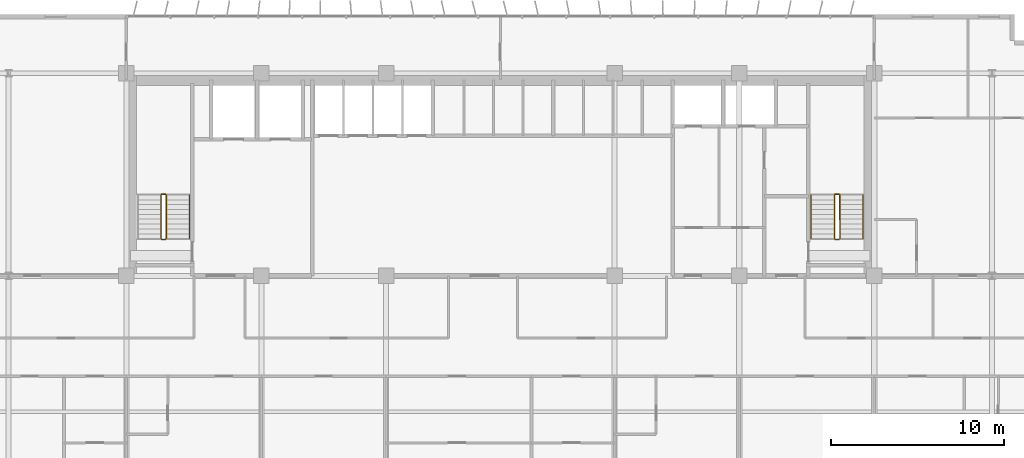
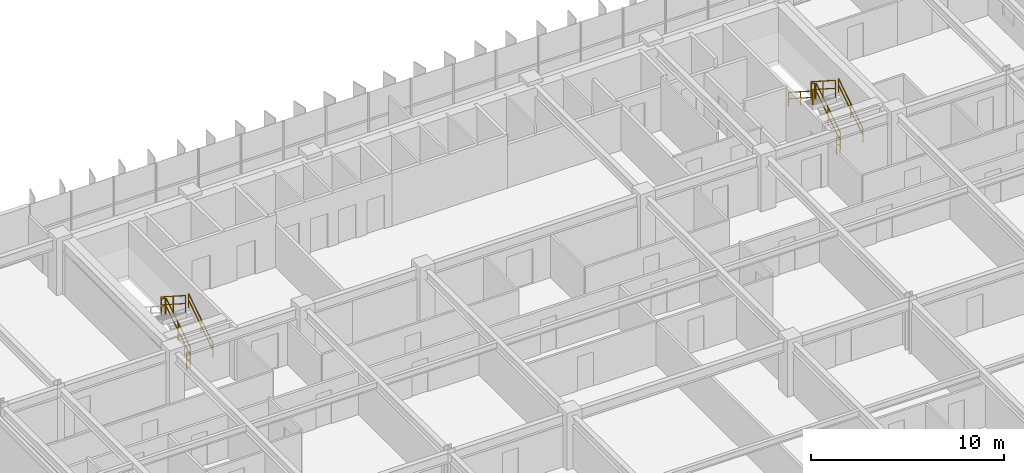
# One storey, part 21 of 22: 11 railings.
"""IFC4 building model written with IfcOpenShell, lengths in metres."""

from ifc_helpers import new_model, si_unit, direction, frame, origin, origin_2d, place, context, subcontext, project, spatial, rectangle, extrude, material, type_object, element, save


model = new_model("IFC4")

# Units and contexts
model_context = context("Model", 3, precision=1e-05, world=origin(), true_north=direction((0.0, 1.0)))
body_context = subcontext(model_context, "Body", "Model", "MODEL_VIEW")
ifc_project = project(units=[si_unit("LENGTHUNIT", "METRE"), si_unit("AREAUNIT", "SQUARE_METRE"), si_unit("VOLUMEUNIT", "CUBIC_METRE"), si_unit("PLANEANGLEUNIT", "RADIAN"), si_unit("MASSUNIT", "GRAM", prefix="KILO")], contexts=[model_context])

# Site, building, storey
site_placement = place(None, origin())
site = spatial("IfcSite", under=ifc_project, at=site_placement, CompositionType="ELEMENT")
building_placement = place(site_placement, origin())
building = spatial("IfcBuilding", under=site, at=building_placement, Name="Trelvane Seafront Commons", CompositionType="ELEMENT")
storey_placement = place(building_placement, frame((0.0, 0.0, 48.699951171875)))
storey = spatial("IfcBuildingStorey", under=building, at=storey_placement, Name="L12", CompositionType="ELEMENT", Elevation=48.699951171875)

# Railings
ifc_material = material(Name="Stainless steel balustrade", Category="steel")
railing_type_1 = type_object("IfcRailingType", Name="ARCH-SRL-GUARD", PredefinedType="GUARDRAIL", material=ifc_material)
railing_1_placement = place(storey_placement, frame((17.89990234375, 35.550048828125, 0.179931640625)))
element("IfcRailing", 1, at=railing_1_placement, inside=storey, type_object=railing_type_1, Name="L12 ST-1 stair guard 1", PredefinedType="GUARDRAIL", context=body_context, shape_type="SweptSolid", body=[
    extrude(rectangle(XDim=0.048095703125, YDim=0.048095703125, at=origin_2d()), frame((0.0, 0.0, 1.076171875), z_axis=(0.0, 0.841162588446, 0.540782303519), x_axis=(-1.0, 0.0, 0.0)), (0.0, 0.0, 1.0), 2.995849609375),
    extrude(rectangle(XDim=0.048095703125, YDim=0.048095703125, at=origin_2d()), frame((0.0, 0.0, 0.572021484375), z_axis=(0.0, 0.841162588446, 0.540782303519), x_axis=(-1.0, 0.0, 0.0)), (0.0, 0.0, 1.0), 2.995849609375),
    extrude(rectangle(XDim=0.0419921875, YDim=0.0419921875, at=origin_2d()), origin(), (0.0, 0.0, 1.0), 1.076171875),
    extrude(rectangle(XDim=0.0419921875, YDim=0.0419921875, at=origin_2d()), frame((0.0, 1.260009765625, 0.81005859375)), (0.0, 0.0, 1.0), 1.076171875),
    extrude(rectangle(XDim=0.0419921875, YDim=0.0419921875, at=origin_2d()), frame((0.0, 2.52001953125, 1.6201171875)), (0.0, 0.0, 1.0), 1.076171875),
])
railing_2_placement = place(storey_placement, frame((17.85009765625, 38.1201171875, 1.800048828125)))
element("IfcRailing", 2, at=railing_2_placement, inside=storey, type_object=railing_type_1, Name="L12 ST-1 stair guard 2", PredefinedType="GUARDRAIL", context=body_context, shape_type="SweptSolid", body=[
    extrude(rectangle(XDim=0.048095703125, YDim=0.048095703125, at=origin_2d()), frame((0.0, 0.0, 1.076171875), z_axis=(-1.0, 0.0, 0.0), x_axis=(0.0, -1.0, 0.0)), (0.0, 0.0, 1.0), 0.2001953125),
    extrude(rectangle(XDim=0.048095703125, YDim=0.048095703125, at=origin_2d()), frame((0.0, 0.0, 0.572021484375), z_axis=(-1.0, 0.0, 0.0), x_axis=(0.0, -1.0, 0.0)), (0.0, 0.0, 1.0), 0.2001953125),
    extrude(rectangle(XDim=0.0419921875, YDim=0.0419921875, at=origin_2d()), origin(), (0.0, 0.0, 1.0), 1.076171875),
    extrude(rectangle(XDim=0.0419921875, YDim=0.0419921875, at=origin_2d()), frame((-0.2001953125, 0.0, 0.0)), (0.0, 0.0, 1.0), 1.076171875),
])
railing_3_placement = place(storey_placement, frame((17.60009765625, 38.070068359375, 1.97998046875)))
element("IfcRailing", 3, at=railing_3_placement, inside=storey, type_object=railing_type_1, Name="L12 ST-1 stair guard 3", PredefinedType="GUARDRAIL", context=body_context, shape_type="SweptSolid", body=[
    extrude(rectangle(XDim=0.048095703125, YDim=0.048095703125, at=origin_2d()), frame((0.0, 0.0, 1.076171875), z_axis=(0.0, -0.841162588446, 0.540782303519), x_axis=(1.0, 0.0, 0.0)), (0.0, 0.0, 1.0), 2.995849609375),
    extrude(rectangle(XDim=0.048095703125, YDim=0.048095703125, at=origin_2d()), frame((0.0, 0.0, 0.572021484375), z_axis=(0.0, -0.841162588446, 0.540782303519), x_axis=(1.0, 0.0, 0.0)), (0.0, 0.0, 1.0), 2.995849609375),
    extrude(rectangle(XDim=0.0419921875, YDim=0.0419921875, at=origin_2d()), origin(), (0.0, 0.0, 1.0), 1.076171875),
    extrude(rectangle(XDim=0.0419921875, YDim=0.0419921875, at=origin_2d()), frame((0.0, -1.260009765625, 0.81005859375)), (0.0, 0.0, 1.0), 1.076171875),
    extrude(rectangle(XDim=0.0419921875, YDim=0.0419921875, at=origin_2d()), frame((0.0, -2.52001953125, 1.6201171875)), (0.0, 0.0, 1.0), 1.076171875),
])
railing_4_placement = place(storey_placement, frame((17.85009765625, 35.5, 0.0)))
element("IfcRailing", 4, at=railing_4_placement, inside=storey, type_object=railing_type_1, Name="L12 ST-1 stair guard 4", PredefinedType="GUARDRAIL", context=body_context, shape_type="SweptSolid", body=[
    extrude(rectangle(XDim=0.048095703125, YDim=0.048095703125, at=origin_2d()), frame((0.0, 0.0, 1.076171875), z_axis=(-1.0, 0.0, 0.0), x_axis=(0.0, -1.0, 0.0)), (0.0, 0.0, 1.0), 0.2001953125),
    extrude(rectangle(XDim=0.048095703125, YDim=0.048095703125, at=origin_2d()), frame((0.0, 0.0, 0.572021484375), z_axis=(-1.0, 0.0, 0.0), x_axis=(0.0, -1.0, 0.0)), (0.0, 0.0, 1.0), 0.2001953125),
    extrude(rectangle(XDim=0.0419921875, YDim=0.0419921875, at=origin_2d()), origin(), (0.0, 0.0, 1.0), 1.076171875),
    extrude(rectangle(XDim=0.0419921875, YDim=0.0419921875, at=origin_2d()), frame((-0.2001953125, 0.0, 0.0)), (0.0, 0.0, 1.0), 1.076171875),
])
railing_5_placement = place(storey_placement, frame((56.800048828125, 35.550048828125, 0.179931640625)))
element("IfcRailing", 5, at=railing_5_placement, inside=storey, type_object=railing_type_1, Name="L12 ST-2 stair guard 1", PredefinedType="GUARDRAIL", context=body_context, shape_type="SweptSolid", body=[
    extrude(rectangle(XDim=0.048095703125, YDim=0.048095703125, at=origin_2d()), frame((0.0, 0.0, 1.076171875), z_axis=(0.0, 0.841162588446, 0.540782303519), x_axis=(-1.0, 0.0, 0.0)), (0.0, 0.0, 1.0), 2.995849609375),
    extrude(rectangle(XDim=0.048095703125, YDim=0.048095703125, at=origin_2d()), frame((0.0, 0.0, 0.572021484375), z_axis=(0.0, 0.841162588446, 0.540782303519), x_axis=(-1.0, 0.0, 0.0)), (0.0, 0.0, 1.0), 2.995849609375),
    extrude(rectangle(XDim=0.0419921875, YDim=0.0419921875, at=origin_2d()), origin(), (0.0, 0.0, 1.0), 1.076171875),
    extrude(rectangle(XDim=0.0419921875, YDim=0.0419921875, at=origin_2d()), frame((0.0, 1.260009765625, 0.81005859375)), (0.0, 0.0, 1.0), 1.076171875),
    extrude(rectangle(XDim=0.0419921875, YDim=0.0419921875, at=origin_2d()), frame((0.0, 2.52001953125, 1.6201171875)), (0.0, 0.0, 1.0), 1.076171875),
])
railing_6_placement = place(storey_placement, frame((56.75, 38.1201171875, 1.800048828125)))
element("IfcRailing", 6, at=railing_6_placement, inside=storey, type_object=railing_type_1, Name="L12 ST-2 stair guard 2", PredefinedType="GUARDRAIL", context=body_context, shape_type="SweptSolid", body=[
    extrude(rectangle(XDim=0.048095703125, YDim=0.048095703125, at=origin_2d()), frame((0.0, 0.0, 1.076171875), z_axis=(-1.0, 0.0, 0.0), x_axis=(0.0, -1.0, 0.0)), (0.0, 0.0, 1.0), 0.199951171875),
    extrude(rectangle(XDim=0.048095703125, YDim=0.048095703125, at=origin_2d()), frame((0.0, 0.0, 0.572021484375), z_axis=(-1.0, 0.0, 0.0), x_axis=(0.0, -1.0, 0.0)), (0.0, 0.0, 1.0), 0.199951171875),
    extrude(rectangle(XDim=0.0419921875, YDim=0.0419921875, at=origin_2d()), origin(), (0.0, 0.0, 1.0), 1.076171875),
    extrude(rectangle(XDim=0.0419921875, YDim=0.0419921875, at=origin_2d()), frame((-0.199951171875, 0.0, 0.0)), (0.0, 0.0, 1.0), 1.076171875),
])
railing_7_placement = place(storey_placement, frame((56.5, 38.070068359375, 1.97998046875)))
element("IfcRailing", 7, at=railing_7_placement, inside=storey, type_object=railing_type_1, Name="L12 ST-2 stair guard 3", PredefinedType="GUARDRAIL", context=body_context, shape_type="SweptSolid", body=[
    extrude(rectangle(XDim=0.048095703125, YDim=0.048095703125, at=origin_2d()), frame((0.0, 0.0, 1.076171875), z_axis=(0.0, -0.841162588446, 0.540782303519), x_axis=(1.0, 0.0, 0.0)), (0.0, 0.0, 1.0), 2.995849609375),
    extrude(rectangle(XDim=0.048095703125, YDim=0.048095703125, at=origin_2d()), frame((0.0, 0.0, 0.572021484375), z_axis=(0.0, -0.841162588446, 0.540782303519), x_axis=(1.0, 0.0, 0.0)), (0.0, 0.0, 1.0), 2.995849609375),
    extrude(rectangle(XDim=0.0419921875, YDim=0.0419921875, at=origin_2d()), origin(), (0.0, 0.0, 1.0), 1.076171875),
    extrude(rectangle(XDim=0.0419921875, YDim=0.0419921875, at=origin_2d()), frame((0.0, -1.260009765625, 0.81005859375)), (0.0, 0.0, 1.0), 1.076171875),
    extrude(rectangle(XDim=0.0419921875, YDim=0.0419921875, at=origin_2d()), frame((0.0, -2.52001953125, 1.6201171875)), (0.0, 0.0, 1.0), 1.076171875),
])
railing_8_placement = place(storey_placement, frame((56.75, 35.5, 0.0)))
element("IfcRailing", 8, at=railing_8_placement, inside=storey, type_object=railing_type_1, Name="L12 ST-2 stair guard 4", PredefinedType="GUARDRAIL", context=body_context, shape_type="SweptSolid", body=[
    extrude(rectangle(XDim=0.048095703125, YDim=0.048095703125, at=origin_2d()), frame((0.0, 0.0, 1.076171875), z_axis=(-1.0, 0.0, 0.0), x_axis=(0.0, -1.0, 0.0)), (0.0, 0.0, 1.0), 0.199951171875),
    extrude(rectangle(XDim=0.048095703125, YDim=0.048095703125, at=origin_2d()), frame((0.0, 0.0, 0.572021484375), z_axis=(-1.0, 0.0, 0.0), x_axis=(0.0, -1.0, 0.0)), (0.0, 0.0, 1.0), 0.199951171875),
    extrude(rectangle(XDim=0.0419921875, YDim=0.0419921875, at=origin_2d()), origin(), (0.0, 0.0, 1.0), 1.076171875),
    extrude(rectangle(XDim=0.0419921875, YDim=0.0419921875, at=origin_2d()), frame((-0.199951171875, 0.0, 0.0)), (0.0, 0.0, 1.0), 1.076171875),
])
railing_type_2 = type_object("IfcRailingType", Name="ARCH-SRL-HAND", PredefinedType="HANDRAIL", material=ifc_material)
for number, where, name in (
    (9, (19.25, 35.550048828125, 0.179931640625), "L12 ST-1 stair handrail 1"),
    (10, (58.14990234375, 35.550048828125, 0.179931640625), "L12 ST-2 stair handrail 1"),
):
    element("IfcRailing", number, at=place(storey_placement, frame(where)), inside=storey, type_object=railing_type_2, Name=name, PredefinedType="HANDRAIL", context=body_context, shape_type="SweptSolid", body=[
        extrude(rectangle(XDim=0.048095703125, YDim=0.048095703125, at=origin_2d()), frame((0.0, 0.0, 0.8759765625), z_axis=(0.0, 0.841162588446, 0.540782303519), x_axis=(-1.0, 0.0, 0.0)), (0.0, 0.0, 1.0), 2.995849609375),
        extrude(rectangle(XDim=0.048095703125, YDim=0.048095703125, at=origin_2d()), frame((0.0, 0.0, 0.468017578125), z_axis=(0.0, 0.841162588446, 0.540782303519), x_axis=(-1.0, 0.0, 0.0)), (0.0, 0.0, 1.0), 2.995849609375),
        extrude(rectangle(XDim=0.0419921875, YDim=0.0419921875, at=origin_2d()), origin(), (0.0, 0.0, 1.0), 0.8759765625),
        extrude(rectangle(XDim=0.0419921875, YDim=0.0419921875, at=origin_2d()), frame((0.0, 1.260009765625, 0.81005859375)), (0.0, 0.0, 1.0), 0.8759765625),
        extrude(rectangle(XDim=0.0419921875, YDim=0.0419921875, at=origin_2d()), frame((0.0, 2.52001953125, 1.6201171875)), (0.0, 0.0, 1.0), 0.8759765625),
    ])
railing_9_placement = place(storey_placement, frame((55.14990234375, 38.070068359375, 1.97998046875)))
element("IfcRailing", 11, at=railing_9_placement, inside=storey, type_object=railing_type_2, Name="L12 ST-2 stair handrail 2", PredefinedType="HANDRAIL", context=body_context, shape_type="SweptSolid", body=[
    extrude(rectangle(XDim=0.048095703125, YDim=0.048095703125, at=origin_2d()), frame((0.0, 0.0, 0.8759765625), z_axis=(0.0, -0.841162588446, 0.540782303519), x_axis=(1.0, 0.0, 0.0)), (0.0, 0.0, 1.0), 2.995849609375),
    extrude(rectangle(XDim=0.048095703125, YDim=0.048095703125, at=origin_2d()), frame((0.0, 0.0, 0.468017578125), z_axis=(0.0, -0.841162588446, 0.540782303519), x_axis=(1.0, 0.0, 0.0)), (0.0, 0.0, 1.0), 2.995849609375),
    extrude(rectangle(XDim=0.0419921875, YDim=0.0419921875, at=origin_2d()), origin(), (0.0, 0.0, 1.0), 0.8759765625),
    extrude(rectangle(XDim=0.0419921875, YDim=0.0419921875, at=origin_2d()), frame((0.0, -1.260009765625, 0.81005859375)), (0.0, 0.0, 1.0), 0.8759765625),
    extrude(rectangle(XDim=0.0419921875, YDim=0.0419921875, at=origin_2d()), frame((0.0, -2.52001953125, 1.6201171875)), (0.0, 0.0, 1.0), 0.8759765625),
])

save(model, "model.ifc")
